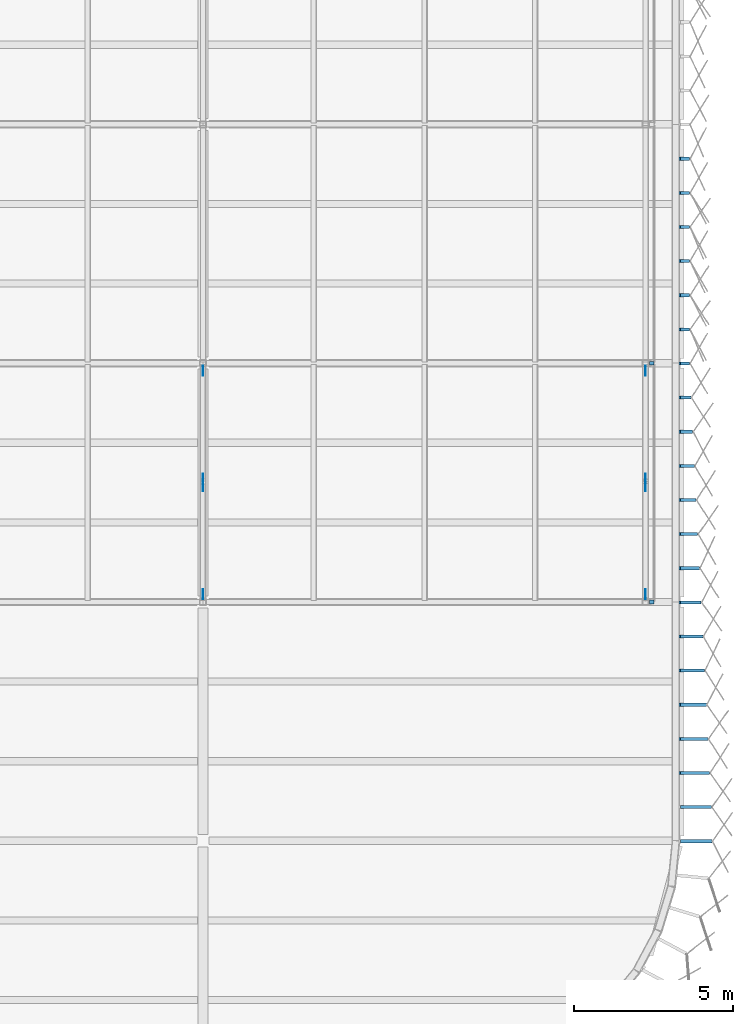
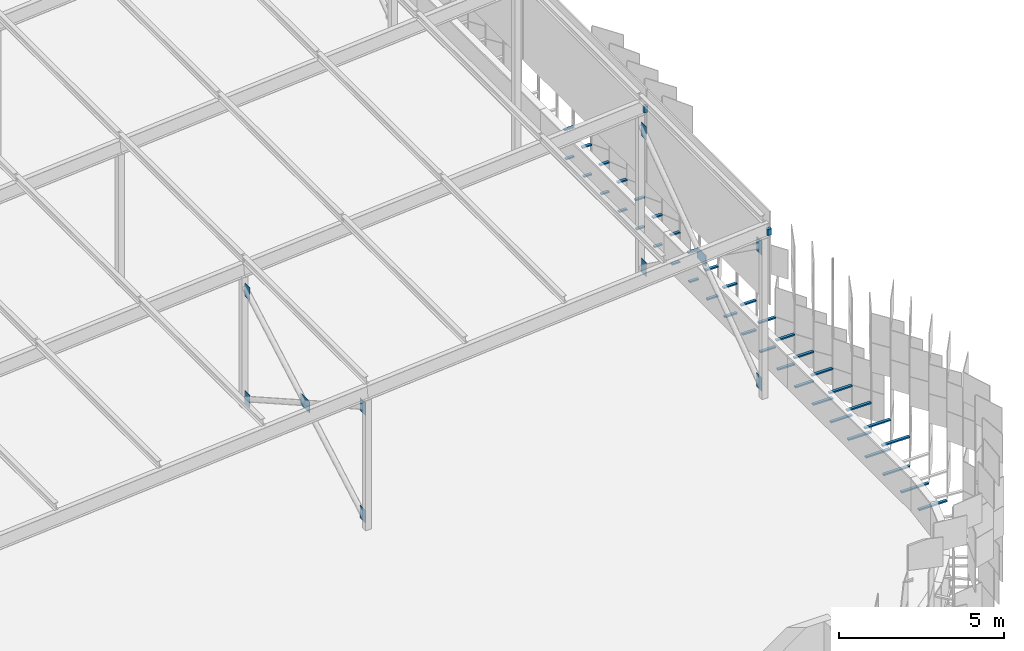
# One storey, part 443 of 483: 52 discrete accessories.
"""IFC4 building model written with IfcOpenShell, lengths in metres."""

from ifc_helpers import new_model, si_unit, direction, frame, origin, origin_2d, place, context, subcontext, project, spatial, polyline, rectangle, outline, extrude, material, layer, layer_set, type_object, element, save


model = new_model("IFC4")

# Units and contexts
model_context = context("Model", 3, precision=1e-05, world=origin(), true_north=direction((0.0, 1.0)))
body_context = subcontext(model_context, "Body", "Model", "MODEL_VIEW")
ifc_project = project(units=[si_unit("LENGTHUNIT", "METRE"), si_unit("AREAUNIT", "SQUARE_METRE"), si_unit("VOLUMEUNIT", "CUBIC_METRE"), si_unit("PLANEANGLEUNIT", "RADIAN"), si_unit("MASSUNIT", "GRAM", prefix="KILO")], contexts=[model_context])

# Site, building, storey
site_placement = place(None, origin())
site = spatial("IfcSite", under=ifc_project, at=site_placement, CompositionType="ELEMENT")
building_placement = place(site_placement, origin())
building = spatial("IfcBuilding", under=site, at=building_placement, Name="Parallax Yard Mobility Hub", CompositionType="ELEMENT")
storey_placement = place(building_placement, frame((0.0, 0.0, 13.199951171875)))
storey = spatial("IfcBuildingStorey", under=building, at=storey_placement, Name="L04", CompositionType="ELEMENT", Elevation=13.199951171875)

# Discrete accessories
ifc_material_1 = material(Name="Steel ASTM A36", Category="steel")
ifc_layer = layer(ifc_material_1, 0.011962890625)
ifc_layer_set = layer_set([ifc_layer], Name="Gusset plate PL12")
discrete_accessory_type_1 = type_object("IfcDiscreteAccessoryType", Name="Gusset plate PL12", PredefinedType="BRACKET", material=ifc_layer_set)
discrete_accessory_1_placement = place(storey_placement, frame((0.0, 0.0, 0.150146484375)))
element("IfcDiscreteAccessory", 1, at=discrete_accessory_1_placement, inside=storey, type_object=discrete_accessory_type_1, Name="Gusset plate PL12 RB bay E-A bay 1 foot on post E-A2", PredefinedType="BRACKET", context=body_context, shape_type="SweptSolid", body=[
    extrude(outline(polyline([(209.993896484375, 44.91845703125), (209.993896484375, 44.598388671875), (210.006103515625, 44.598388671875), (210.006103515625, 44.91845703125), (209.993896484375, 44.91845703125)])), origin(), (0.0, 0.0, 1.0), 0.4697265625),
])
discrete_accessory_2_placement = place(storey_placement, frame((0.0, 0.0, 4.130126953125)))
element("IfcDiscreteAccessory", 2, at=discrete_accessory_2_placement, inside=storey, type_object=discrete_accessory_type_1, Name="Gusset plate PL12 RB bay E-A bay 1 head on post E-A1", PredefinedType="BRACKET", context=body_context, shape_type="SweptSolid", body=[
    extrude(outline(polyline([(210.006103515625, 37.58154296875), (210.006103515625, 37.901611328125), (209.993896484375, 37.901611328125), (209.993896484375, 37.58154296875), (210.006103515625, 37.58154296875)])), origin(), (0.0, 0.0, 1.0), 0.469970703125),
])
discrete_accessory_3_placement = place(storey_placement, frame((0.0, 0.0, 0.150146484375)))
element("IfcDiscreteAccessory", 3, at=discrete_accessory_3_placement, inside=storey, type_object=discrete_accessory_type_1, Name="Gusset plate PL12 RB bay E-A bay 1 foot on post E-A1", PredefinedType="BRACKET", context=body_context, shape_type="SweptSolid", body=[
    extrude(outline(polyline([(210.006103515625, 37.58154296875), (210.006103515625, 37.901611328125), (209.993896484375, 37.901611328125), (209.993896484375, 37.58154296875), (210.006103515625, 37.58154296875)])), origin(), (0.0, 0.0, 1.0), 0.4697265625),
])
discrete_accessory_4_placement = place(storey_placement, frame((0.0, 0.0, 4.130126953125)))
element("IfcDiscreteAccessory", 4, at=discrete_accessory_4_placement, inside=storey, type_object=discrete_accessory_type_1, Name="Gusset plate PL12 RB bay E-A bay 1 head on post E-A2", PredefinedType="BRACKET", context=body_context, shape_type="SweptSolid", body=[
    extrude(outline(polyline([(209.993896484375, 44.91845703125), (209.993896484375, 44.598388671875), (210.006103515625, 44.598388671875), (210.006103515625, 44.91845703125), (209.993896484375, 44.91845703125)])), origin(), (0.0, 0.0, 1.0), 0.469970703125),
])
discrete_accessory_5_placement = place(storey_placement, frame((0.0, 0.0, 2.1650390625)))
element("IfcDiscreteAccessory", 5, at=discrete_accessory_5_placement, inside=storey, type_object=discrete_accessory_type_1, Name="Gusset plate PL12 RB bay E-A bay 1 crossing node", PredefinedType="BRACKET", context=body_context, shape_type="SweptSolid", body=[
    extrude(outline(polyline([(210.006103515625, 40.969970703125), (210.006103515625, 41.530029296875), (209.993896484375, 41.530029296875), (209.993896484375, 40.969970703125), (210.006103515625, 40.969970703125)])), origin(), (0.0, 0.0, 1.0), 0.419921875),
])
discrete_accessory_6_placement = place(storey_placement, frame((0.0, 0.0, 0.150146484375)))
element("IfcDiscreteAccessory", 6, at=discrete_accessory_6_placement, inside=storey, type_object=discrete_accessory_type_1, Name="Gusset plate PL12 RC bay E-A bay 1 foot on post E-A2", PredefinedType="BRACKET", context=body_context, shape_type="SweptSolid", body=[
    extrude(outline(polyline([(223.89404296875, 44.91845703125), (223.89404296875, 44.598388671875), (223.906005859375, 44.598388671875), (223.906005859375, 44.91845703125), (223.89404296875, 44.91845703125)])), origin(), (0.0, 0.0, 1.0), 0.515380859375),
])
discrete_accessory_7_placement = place(storey_placement, frame((0.0, 0.0, 5.196533203125)))
element("IfcDiscreteAccessory", 7, at=discrete_accessory_7_placement, inside=storey, type_object=discrete_accessory_type_1, Name="Gusset plate PL12 RC bay E-A bay 1 head on post E-A1", PredefinedType="BRACKET", context=body_context, shape_type="SweptSolid", body=[
    extrude(outline(polyline([(223.906005859375, 37.58154296875), (223.906005859375, 37.901611328125), (223.89404296875, 37.901611328125), (223.89404296875, 37.58154296875), (223.906005859375, 37.58154296875)])), origin(), (0.0, 0.0, 1.0), 0.515625),
])
discrete_accessory_8_placement = place(storey_placement, frame((0.0, 0.0, 0.150146484375)))
element("IfcDiscreteAccessory", 8, at=discrete_accessory_8_placement, inside=storey, type_object=discrete_accessory_type_1, Name="Gusset plate PL12 RC bay E-A bay 1 foot on post E-A1", PredefinedType="BRACKET", context=body_context, shape_type="SweptSolid", body=[
    extrude(outline(polyline([(223.906005859375, 37.58154296875), (223.906005859375, 37.901611328125), (223.89404296875, 37.901611328125), (223.89404296875, 37.58154296875), (223.906005859375, 37.58154296875)])), origin(), (0.0, 0.0, 1.0), 0.515380859375),
])
discrete_accessory_9_placement = place(storey_placement, frame((0.0, 0.0, 5.196533203125)))
element("IfcDiscreteAccessory", 9, at=discrete_accessory_9_placement, inside=storey, type_object=discrete_accessory_type_1, Name="Gusset plate PL12 RC bay E-A bay 1 head on post E-A2", PredefinedType="BRACKET", context=body_context, shape_type="SweptSolid", body=[
    extrude(outline(polyline([(223.89404296875, 44.91845703125), (223.89404296875, 44.598388671875), (223.906005859375, 44.598388671875), (223.906005859375, 44.91845703125), (223.89404296875, 44.91845703125)])), origin(), (0.0, 0.0, 1.0), 0.515625),
])
discrete_accessory_10_placement = place(storey_placement, frame((0.0, 0.0, 2.720947265625)))
element("IfcDiscreteAccessory", 10, at=discrete_accessory_10_placement, inside=storey, type_object=discrete_accessory_type_1, Name="Gusset plate PL12 RC bay E-A bay 1 crossing node", PredefinedType="BRACKET", context=body_context, shape_type="SweptSolid", body=[
    extrude(outline(polyline([(223.906005859375, 40.969970703125), (223.906005859375, 41.530029296875), (223.89404296875, 41.530029296875), (223.89404296875, 40.969970703125), (223.906005859375, 40.969970703125)])), origin(), (0.0, 0.0, 1.0), 0.420166015625),
])
ifc_material_2 = material(Name="Steel ASTM A36, hot-dip galvanised", Category="steel")
discrete_accessory_type_2 = type_object("IfcDiscreteAccessoryType", Name="Hinge bracket plate 100x50", PredefinedType="BRACKET", material=ifc_material_2)
discrete_accessory_11_placement = place(storey_placement, frame((225.49169921875, 29.985595703125, -0.02490234375), z_axis=(0.0, 0.0, 1.0), x_axis=(1.0, 0.0, 0.0)))
element("IfcDiscreteAccessory", 11, at=discrete_accessory_11_placement, inside=storey, type_object=discrete_accessory_type_2, Name="Hinge bracket plate bay 33.1 level L04", PredefinedType="BRACKET", context=body_context, shape_type="SweptSolid", body=[
    extrude(rectangle(XDim=0.984130859375, YDim=0.10009765625, at=origin_2d()), origin(), (0.0, 0.0, 1.0), 0.050048828125),
])
discrete_accessory_12_placement = place(storey_placement, frame((225.4833984375, 31.057373046875, -0.02490234375), z_axis=(0.0, 0.0, 1.0), x_axis=(1.0, 0.0, 0.0)))
element("IfcDiscreteAccessory", 12, at=discrete_accessory_12_placement, inside=storey, type_object=discrete_accessory_type_2, Name="Hinge bracket plate bay 33.2 level L04", PredefinedType="BRACKET", context=body_context, shape_type="SweptSolid", body=[
    extrude(rectangle(XDim=0.968017578125, YDim=0.10009765625, at=origin_2d()), origin(), (0.0, 0.0, 1.0), 0.050048828125),
])
discrete_accessory_13_placement = place(storey_placement, frame((225.456787109375, 32.12890625, -0.02490234375), z_axis=(0.0, 0.0, 1.0), x_axis=(1.0, 0.0, 0.0)))
element("IfcDiscreteAccessory", 13, at=discrete_accessory_13_placement, inside=storey, type_object=discrete_accessory_type_2, Name="Hinge bracket plate bay 33.3 level L04", PredefinedType="BRACKET", context=body_context, shape_type="SweptSolid", body=[
    extrude(rectangle(XDim=0.91455078125, YDim=0.10009765625, at=origin_2d()), origin(), (0.0, 0.0, 1.0), 0.050048828125),
])
discrete_accessory_14_placement = place(storey_placement, frame((225.43359375, 32.12890625, 1.06982421875), z_axis=(0.0, 0.0, 1.0), x_axis=(1.0, 0.0, 0.0)))
element("IfcDiscreteAccessory", 14, at=discrete_accessory_14_placement, inside=storey, type_object=discrete_accessory_type_2, Name="Hinge bracket plate bay 33.3 level L04", PredefinedType="BRACKET", context=body_context, shape_type="SweptSolid", body=[
    extrude(rectangle(XDim=0.96044921875, YDim=0.10009765625, at=origin_2d()), origin(), (0.0, 0.0, 1.0), 0.050048828125),
])
discrete_accessory_15_placement = place(storey_placement, frame((225.429931640625, 33.20068359375, -0.02490234375), z_axis=(0.0, 0.0, 1.0), x_axis=(1.0, 0.0, 0.0)))
element("IfcDiscreteAccessory", 15, at=discrete_accessory_15_placement, inside=storey, type_object=discrete_accessory_type_2, Name="Hinge bracket plate bay 33.4 level L04", PredefinedType="BRACKET", context=body_context, shape_type="SweptSolid", body=[
    extrude(rectangle(XDim=0.86083984375, YDim=0.10009765625, at=origin_2d()), origin(), (0.0, 0.0, 1.0), 0.050048828125),
])
discrete_accessory_16_placement = place(storey_placement, frame((225.406982421875, 33.20068359375, 1.06982421875), z_axis=(0.0, 0.0, 1.0), x_axis=(1.0, 0.0, 0.0)))
element("IfcDiscreteAccessory", 16, at=discrete_accessory_16_placement, inside=storey, type_object=discrete_accessory_type_2, Name="Hinge bracket plate bay 33.4 level L04", PredefinedType="BRACKET", context=body_context, shape_type="SweptSolid", body=[
    extrude(rectangle(XDim=0.906982421875, YDim=0.10009765625, at=origin_2d()), origin(), (0.0, 0.0, 1.0), 0.050048828125),
])
discrete_accessory_17_placement = place(storey_placement, frame((225.4033203125, 34.2724609375, -0.02490234375), z_axis=(0.0, 0.0, 1.0), x_axis=(1.0, 0.0, 0.0)))
element("IfcDiscreteAccessory", 17, at=discrete_accessory_17_placement, inside=storey, type_object=discrete_accessory_type_2, Name="Hinge bracket plate bay 33.5 level L04", PredefinedType="BRACKET", context=body_context, shape_type="SweptSolid", body=[
    extrude(rectangle(XDim=0.807373046875, YDim=0.10009765625, at=origin_2d()), origin(), (0.0, 0.0, 1.0), 0.050048828125),
])
discrete_accessory_18_placement = place(storey_placement, frame((225.380126953125, 34.2724609375, 1.06982421875), z_axis=(0.0, 0.0, 1.0), x_axis=(1.0, 0.0, 0.0)))
element("IfcDiscreteAccessory", 18, at=discrete_accessory_18_placement, inside=storey, type_object=discrete_accessory_type_2, Name="Hinge bracket plate bay 33.5 level L04", PredefinedType="BRACKET", context=body_context, shape_type="SweptSolid", body=[
    extrude(rectangle(XDim=0.853515625, YDim=0.10009765625, at=origin_2d()), origin(), (0.0, 0.0, 1.0), 0.050048828125),
])
discrete_accessory_19_placement = place(storey_placement, frame((225.37646484375, 35.34423828125, -0.02490234375), z_axis=(0.0, 0.0, 1.0), x_axis=(1.0, 0.0, 0.0)))
element("IfcDiscreteAccessory", 19, at=discrete_accessory_19_placement, inside=storey, type_object=discrete_accessory_type_2, Name="Hinge bracket plate bay 33.6 level L04", PredefinedType="BRACKET", context=body_context, shape_type="SweptSolid", body=[
    extrude(rectangle(XDim=0.75390625, YDim=0.10009765625, at=origin_2d()), origin(), (0.0, 0.0, 1.0), 0.050048828125),
])
discrete_accessory_20_placement = place(storey_placement, frame((225.353515625, 35.34423828125, 1.06982421875), z_axis=(0.0, 0.0, 1.0), x_axis=(1.0, 0.0, 0.0)))
element("IfcDiscreteAccessory", 20, at=discrete_accessory_20_placement, inside=storey, type_object=discrete_accessory_type_2, Name="Hinge bracket plate bay 33.6 level L04", PredefinedType="BRACKET", context=body_context, shape_type="SweptSolid", body=[
    extrude(rectangle(XDim=0.7998046875, YDim=0.10009765625, at=origin_2d()), origin(), (0.0, 0.0, 1.0), 0.050048828125),
])
discrete_accessory_21_placement = place(storey_placement, frame((225.349609375, 36.416015625, -0.02490234375), z_axis=(0.0, 0.0, 1.0), x_axis=(1.0, 0.0, 0.0)))
element("IfcDiscreteAccessory", 21, at=discrete_accessory_21_placement, inside=storey, type_object=discrete_accessory_type_2, Name="Hinge bracket plate bay 33.7 level L04", PredefinedType="BRACKET", context=body_context, shape_type="SweptSolid", body=[
    extrude(rectangle(XDim=0.7001953125, YDim=0.10009765625, at=origin_2d()), origin(), (0.0, 0.0, 1.0), 0.050048828125),
])
discrete_accessory_22_placement = place(storey_placement, frame((225.32666015625, 36.416015625, 1.06982421875), z_axis=(0.0, 0.0, 1.0), x_axis=(1.0, 0.0, 0.0)))
element("IfcDiscreteAccessory", 22, at=discrete_accessory_22_placement, inside=storey, type_object=discrete_accessory_type_2, Name="Hinge bracket plate bay 33.7 level L04", PredefinedType="BRACKET", context=body_context, shape_type="SweptSolid", body=[
    extrude(rectangle(XDim=0.74609375, YDim=0.10009765625, at=origin_2d()), origin(), (0.0, 0.0, 1.0), 0.050048828125),
])
discrete_accessory_23_placement = place(storey_placement, frame((225.32275390625, 37.487548828125, -0.02490234375), z_axis=(0.0, 0.0, 1.0), x_axis=(1.0, 0.0, 0.0)))
element("IfcDiscreteAccessory", 23, at=discrete_accessory_23_placement, inside=storey, type_object=discrete_accessory_type_2, Name="Hinge bracket plate bay 34.1 level L04", PredefinedType="BRACKET", context=body_context, shape_type="SweptSolid", body=[
    extrude(rectangle(XDim=0.646484375, YDim=0.10009765625, at=origin_2d()), origin(), (0.0, 0.0, 1.0), 0.050048828125),
])
discrete_accessory_24_placement = place(storey_placement, frame((225.2998046875, 37.487548828125, 1.06982421875), z_axis=(0.0, 0.0, 1.0), x_axis=(1.0, 0.0, 0.0)))
element("IfcDiscreteAccessory", 24, at=discrete_accessory_24_placement, inside=storey, type_object=discrete_accessory_type_2, Name="Hinge bracket plate bay 34.1 level L04", PredefinedType="BRACKET", context=body_context, shape_type="SweptSolid", body=[
    extrude(rectangle(XDim=0.692626953125, YDim=0.10009765625, at=origin_2d()), origin(), (0.0, 0.0, 1.0), 0.050048828125),
])
discrete_accessory_25_placement = place(storey_placement, frame((225.2958984375, 38.559326171875, -0.02490234375), z_axis=(0.0, 0.0, 1.0), x_axis=(1.0, 0.0, 0.0)))
element("IfcDiscreteAccessory", 25, at=discrete_accessory_25_placement, inside=storey, type_object=discrete_accessory_type_2, Name="Hinge bracket plate bay 34.2 level L04", PredefinedType="BRACKET", context=body_context, shape_type="SweptSolid", body=[
    extrude(rectangle(XDim=0.593017578125, YDim=0.10009765625, at=origin_2d()), origin(), (0.0, 0.0, 1.0), 0.050048828125),
])
discrete_accessory_26_placement = place(storey_placement, frame((225.27294921875, 38.559326171875, 1.06982421875), z_axis=(0.0, 0.0, 1.0), x_axis=(1.0, 0.0, 0.0)))
element("IfcDiscreteAccessory", 26, at=discrete_accessory_26_placement, inside=storey, type_object=discrete_accessory_type_2, Name="Hinge bracket plate bay 34.2 level L04", PredefinedType="BRACKET", context=body_context, shape_type="SweptSolid", body=[
    extrude(rectangle(XDim=0.63916015625, YDim=0.10009765625, at=origin_2d()), origin(), (0.0, 0.0, 1.0), 0.050048828125),
])
discrete_accessory_27_placement = place(storey_placement, frame((225.269287109375, 39.631103515625, -0.02490234375), z_axis=(0.0, 0.0, 1.0), x_axis=(1.0, 0.0, 0.0)))
element("IfcDiscreteAccessory", 27, at=discrete_accessory_27_placement, inside=storey, type_object=discrete_accessory_type_2, Name="Hinge bracket plate bay 34.3 level L04", PredefinedType="BRACKET", context=body_context, shape_type="SweptSolid", body=[
    extrude(rectangle(XDim=0.53955078125, YDim=0.10009765625, at=origin_2d()), origin(), (0.0, 0.0, 1.0), 0.050048828125),
])
discrete_accessory_28_placement = place(storey_placement, frame((225.24609375, 39.631103515625, 1.06982421875), z_axis=(0.0, 0.0, 1.0), x_axis=(1.0, 0.0, 0.0)))
element("IfcDiscreteAccessory", 28, at=discrete_accessory_28_placement, inside=storey, type_object=discrete_accessory_type_2, Name="Hinge bracket plate bay 34.3 level L04", PredefinedType="BRACKET", context=body_context, shape_type="SweptSolid", body=[
    extrude(rectangle(XDim=0.58544921875, YDim=0.10009765625, at=origin_2d()), origin(), (0.0, 0.0, 1.0), 0.050048828125),
])
discrete_accessory_29_placement = place(storey_placement, frame((225.242431640625, 40.702880859375, -0.02490234375), z_axis=(0.0, 0.0, 1.0), x_axis=(1.0, 0.0, 0.0)))
element("IfcDiscreteAccessory", 29, at=discrete_accessory_29_placement, inside=storey, type_object=discrete_accessory_type_2, Name="Hinge bracket plate bay 34.4 level L04", PredefinedType="BRACKET", context=body_context, shape_type="SweptSolid", body=[
    extrude(rectangle(XDim=0.48583984375, YDim=0.10009765625, at=origin_2d()), origin(), (0.0, 0.0, 1.0), 0.050048828125),
])
discrete_accessory_30_placement = place(storey_placement, frame((225.219482421875, 40.702880859375, 1.06982421875), z_axis=(0.0, 0.0, 1.0), x_axis=(1.0, 0.0, 0.0)))
element("IfcDiscreteAccessory", 30, at=discrete_accessory_30_placement, inside=storey, type_object=discrete_accessory_type_2, Name="Hinge bracket plate bay 34.4 level L04", PredefinedType="BRACKET", context=body_context, shape_type="SweptSolid", body=[
    extrude(rectangle(XDim=0.531982421875, YDim=0.10009765625, at=origin_2d()), origin(), (0.0, 0.0, 1.0), 0.050048828125),
])
discrete_accessory_31_placement = place(storey_placement, frame((225.2158203125, 41.774658203125, -0.02490234375), z_axis=(0.0, 0.0, 1.0), x_axis=(1.0, 0.0, 0.0)))
element("IfcDiscreteAccessory", 31, at=discrete_accessory_31_placement, inside=storey, type_object=discrete_accessory_type_2, Name="Hinge bracket plate bay 34.5 level L04", PredefinedType="BRACKET", context=body_context, shape_type="SweptSolid", body=[
    extrude(rectangle(XDim=0.432373046875, YDim=0.10009765625, at=origin_2d()), origin(), (0.0, 0.0, 1.0), 0.050048828125),
])
discrete_accessory_32_placement = place(storey_placement, frame((225.192626953125, 41.774658203125, 1.06982421875), z_axis=(0.0, 0.0, 1.0), x_axis=(1.0, 0.0, 0.0)))
element("IfcDiscreteAccessory", 32, at=discrete_accessory_32_placement, inside=storey, type_object=discrete_accessory_type_2, Name="Hinge bracket plate bay 34.5 level L04", PredefinedType="BRACKET", context=body_context, shape_type="SweptSolid", body=[
    extrude(rectangle(XDim=0.478515625, YDim=0.10009765625, at=origin_2d()), origin(), (0.0, 0.0, 1.0), 0.050048828125),
])
discrete_accessory_33_placement = place(storey_placement, frame((225.18896484375, 42.84619140625, -0.02490234375), z_axis=(0.0, 0.0, 1.0), x_axis=(1.0, 0.0, 0.0)))
element("IfcDiscreteAccessory", 33, at=discrete_accessory_33_placement, inside=storey, type_object=discrete_accessory_type_2, Name="Hinge bracket plate bay 34.6 level L04", PredefinedType="BRACKET", context=body_context, shape_type="SweptSolid", body=[
    extrude(rectangle(XDim=0.37890625, YDim=0.10009765625, at=origin_2d()), origin(), (0.0, 0.0, 1.0), 0.050048828125),
])
discrete_accessory_34_placement = place(storey_placement, frame((225.166015625, 42.84619140625, 1.06982421875), z_axis=(0.0, 0.0, 1.0), x_axis=(1.0, 0.0, 0.0)))
element("IfcDiscreteAccessory", 34, at=discrete_accessory_34_placement, inside=storey, type_object=discrete_accessory_type_2, Name="Hinge bracket plate bay 34.6 level L04", PredefinedType="BRACKET", context=body_context, shape_type="SweptSolid", body=[
    extrude(rectangle(XDim=0.4248046875, YDim=0.10009765625, at=origin_2d()), origin(), (0.0, 0.0, 1.0), 0.050048828125),
])
discrete_accessory_35_placement = place(storey_placement, frame((225.162109375, 43.91796875, -0.02490234375), z_axis=(0.0, 0.0, 1.0), x_axis=(1.0, 0.0, 0.0)))
element("IfcDiscreteAccessory", 35, at=discrete_accessory_35_placement, inside=storey, type_object=discrete_accessory_type_2, Name="Hinge bracket plate bay 34.7 level L04", PredefinedType="BRACKET", context=body_context, shape_type="SweptSolid", body=[
    extrude(rectangle(XDim=0.3251953125, YDim=0.10009765625, at=origin_2d()), origin(), (0.0, 0.0, 1.0), 0.050048828125),
])
discrete_accessory_36_placement = place(storey_placement, frame((225.13916015625, 43.91796875, 1.06982421875), z_axis=(0.0, 0.0, 1.0), x_axis=(1.0, 0.0, 0.0)))
element("IfcDiscreteAccessory", 36, at=discrete_accessory_36_placement, inside=storey, type_object=discrete_accessory_type_2, Name="Hinge bracket plate bay 34.7 level L04", PredefinedType="BRACKET", context=body_context, shape_type="SweptSolid", body=[
    extrude(rectangle(XDim=0.37109375, YDim=0.10009765625, at=origin_2d()), origin(), (0.0, 0.0, 1.0), 0.050048828125),
])
discrete_accessory_37_placement = place(storey_placement, frame((225.1416015625, 44.98974609375, -0.02490234375), z_axis=(0.0, 0.0, 1.0), x_axis=(1.0, 0.0, 0.0)))
element("IfcDiscreteAccessory", 37, at=discrete_accessory_37_placement, inside=storey, type_object=discrete_accessory_type_2, Name="Hinge bracket plate bay 35.1 level L04", PredefinedType="BRACKET", context=body_context, shape_type="SweptSolid", body=[
    extrude(rectangle(XDim=0.2841796875, YDim=0.10009765625, at=origin_2d()), origin(), (0.0, 0.0, 1.0), 0.050048828125),
])
discrete_accessory_38_placement = place(storey_placement, frame((225.11865234375, 44.98974609375, 1.06982421875), z_axis=(0.0, 0.0, 1.0), x_axis=(1.0, 0.0, 0.0)))
element("IfcDiscreteAccessory", 38, at=discrete_accessory_38_placement, inside=storey, type_object=discrete_accessory_type_2, Name="Hinge bracket plate bay 35.1 level L04", PredefinedType="BRACKET", context=body_context, shape_type="SweptSolid", body=[
    extrude(rectangle(XDim=0.330078125, YDim=0.10009765625, at=origin_2d()), origin(), (0.0, 0.0, 1.0), 0.050048828125),
])
discrete_accessory_39_placement = place(storey_placement, frame((225.1416015625, 46.0615234375, -0.02490234375), z_axis=(0.0, 0.0, 1.0), x_axis=(1.0, 0.0, 0.0)))
element("IfcDiscreteAccessory", 39, at=discrete_accessory_39_placement, inside=storey, type_object=discrete_accessory_type_2, Name="Hinge bracket plate bay 35.2 level L04", PredefinedType="BRACKET", context=body_context, shape_type="SweptSolid", body=[
    extrude(rectangle(XDim=0.2841796875, YDim=0.10009765625, at=origin_2d()), origin(), (0.0, 0.0, 1.0), 0.050048828125),
])
discrete_accessory_40_placement = place(storey_placement, frame((225.11865234375, 46.0615234375, 1.06982421875), z_axis=(0.0, 0.0, 1.0), x_axis=(1.0, 0.0, 0.0)))
element("IfcDiscreteAccessory", 40, at=discrete_accessory_40_placement, inside=storey, type_object=discrete_accessory_type_2, Name="Hinge bracket plate bay 35.2 level L04", PredefinedType="BRACKET", context=body_context, shape_type="SweptSolid", body=[
    extrude(rectangle(XDim=0.330078125, YDim=0.10009765625, at=origin_2d()), origin(), (0.0, 0.0, 1.0), 0.050048828125),
])
discrete_accessory_41_placement = place(storey_placement, frame((225.1416015625, 47.13330078125, -0.02490234375), z_axis=(0.0, 0.0, 1.0), x_axis=(1.0, 0.0, 0.0)))
element("IfcDiscreteAccessory", 41, at=discrete_accessory_41_placement, inside=storey, type_object=discrete_accessory_type_2, Name="Hinge bracket plate bay 35.3 level L04", PredefinedType="BRACKET", context=body_context, shape_type="SweptSolid", body=[
    extrude(rectangle(XDim=0.2841796875, YDim=0.10009765625, at=origin_2d()), origin(), (0.0, 0.0, 1.0), 0.050048828125),
])
discrete_accessory_42_placement = place(storey_placement, frame((225.11865234375, 47.13330078125, 1.06982421875), z_axis=(0.0, 0.0, 1.0), x_axis=(1.0, 0.0, 0.0)))
element("IfcDiscreteAccessory", 42, at=discrete_accessory_42_placement, inside=storey, type_object=discrete_accessory_type_2, Name="Hinge bracket plate bay 35.3 level L04", PredefinedType="BRACKET", context=body_context, shape_type="SweptSolid", body=[
    extrude(rectangle(XDim=0.330078125, YDim=0.10009765625, at=origin_2d()), origin(), (0.0, 0.0, 1.0), 0.050048828125),
])
discrete_accessory_43_placement = place(storey_placement, frame((225.1416015625, 48.204833984375, -0.02490234375), z_axis=(0.0, 0.0, 1.0), x_axis=(1.0, 0.0, 0.0)))
element("IfcDiscreteAccessory", 43, at=discrete_accessory_43_placement, inside=storey, type_object=discrete_accessory_type_2, Name="Hinge bracket plate bay 35.4 level L04", PredefinedType="BRACKET", context=body_context, shape_type="SweptSolid", body=[
    extrude(rectangle(XDim=0.2841796875, YDim=0.10009765625, at=origin_2d()), origin(), (0.0, 0.0, 1.0), 0.050048828125),
])
discrete_accessory_44_placement = place(storey_placement, frame((225.11865234375, 48.204833984375, 1.06982421875), z_axis=(0.0, 0.0, 1.0), x_axis=(1.0, 0.0, 0.0)))
element("IfcDiscreteAccessory", 44, at=discrete_accessory_44_placement, inside=storey, type_object=discrete_accessory_type_2, Name="Hinge bracket plate bay 35.4 level L04", PredefinedType="BRACKET", context=body_context, shape_type="SweptSolid", body=[
    extrude(rectangle(XDim=0.330078125, YDim=0.10009765625, at=origin_2d()), origin(), (0.0, 0.0, 1.0), 0.050048828125),
])
discrete_accessory_45_placement = place(storey_placement, frame((225.1416015625, 49.276611328125, -0.02490234375), z_axis=(0.0, 0.0, 1.0), x_axis=(1.0, 0.0, 0.0)))
element("IfcDiscreteAccessory", 45, at=discrete_accessory_45_placement, inside=storey, type_object=discrete_accessory_type_2, Name="Hinge bracket plate bay 35.5 level L04", PredefinedType="BRACKET", context=body_context, shape_type="SweptSolid", body=[
    extrude(rectangle(XDim=0.2841796875, YDim=0.10009765625, at=origin_2d()), origin(), (0.0, 0.0, 1.0), 0.050048828125),
])
discrete_accessory_46_placement = place(storey_placement, frame((225.11865234375, 49.276611328125, 1.06982421875), z_axis=(0.0, 0.0, 1.0), x_axis=(1.0, 0.0, 0.0)))
element("IfcDiscreteAccessory", 46, at=discrete_accessory_46_placement, inside=storey, type_object=discrete_accessory_type_2, Name="Hinge bracket plate bay 35.5 level L04", PredefinedType="BRACKET", context=body_context, shape_type="SweptSolid", body=[
    extrude(rectangle(XDim=0.330078125, YDim=0.10009765625, at=origin_2d()), origin(), (0.0, 0.0, 1.0), 0.050048828125),
])
discrete_accessory_47_placement = place(storey_placement, frame((225.1416015625, 50.348388671875, -0.02490234375), z_axis=(0.0, 0.0, 1.0), x_axis=(1.0, 0.0, 0.0)))
element("IfcDiscreteAccessory", 47, at=discrete_accessory_47_placement, inside=storey, type_object=discrete_accessory_type_2, Name="Hinge bracket plate bay 35.6 level L04", PredefinedType="BRACKET", context=body_context, shape_type="SweptSolid", body=[
    extrude(rectangle(XDim=0.2841796875, YDim=0.10009765625, at=origin_2d()), origin(), (0.0, 0.0, 1.0), 0.050048828125),
])
discrete_accessory_48_placement = place(storey_placement, frame((225.11865234375, 50.348388671875, 1.06982421875), z_axis=(0.0, 0.0, 1.0), x_axis=(1.0, 0.0, 0.0)))
element("IfcDiscreteAccessory", 48, at=discrete_accessory_48_placement, inside=storey, type_object=discrete_accessory_type_2, Name="Hinge bracket plate bay 35.6 level L04", PredefinedType="BRACKET", context=body_context, shape_type="SweptSolid", body=[
    extrude(rectangle(XDim=0.330078125, YDim=0.10009765625, at=origin_2d()), origin(), (0.0, 0.0, 1.0), 0.050048828125),
])
discrete_accessory_49_placement = place(storey_placement, frame((225.1416015625, 51.420166015625, -0.02490234375), z_axis=(0.0, 0.0, 1.0), x_axis=(1.0, 0.0, 0.0)))
element("IfcDiscreteAccessory", 49, at=discrete_accessory_49_placement, inside=storey, type_object=discrete_accessory_type_2, Name="Hinge bracket plate bay 35.7 level L04", PredefinedType="BRACKET", context=body_context, shape_type="SweptSolid", body=[
    extrude(rectangle(XDim=0.2841796875, YDim=0.10009765625, at=origin_2d()), origin(), (0.0, 0.0, 1.0), 0.050048828125),
])
discrete_accessory_50_placement = place(storey_placement, frame((225.11865234375, 51.420166015625, 1.06982421875), z_axis=(0.0, 0.0, 1.0), x_axis=(1.0, 0.0, 0.0)))
element("IfcDiscreteAccessory", 50, at=discrete_accessory_50_placement, inside=storey, type_object=discrete_accessory_type_2, Name="Hinge bracket plate bay 35.7 level L04", PredefinedType="BRACKET", context=body_context, shape_type="SweptSolid", body=[
    extrude(rectangle(XDim=0.330078125, YDim=0.10009765625, at=origin_2d()), origin(), (0.0, 0.0, 1.0), 0.050048828125),
])
discrete_accessory_type_3 = type_object("IfcDiscreteAccessoryType", Name="Valance bracket plate", PredefinedType="BRACKET", material=ifc_material_2)
for number, where, z_axis, x_axis, name in (
    (51, (224.090087890625, 37.5, 5.961181640625), (0.0, 0.0, 1.0), (1.0, 0.0, 0.0), "Valance bracket plate E-A1"),
    (52, (224.090087890625, 45.0, 5.961181640625), (0.0, 0.0, 1.0), (1.0, 0.0, 0.0), "Valance bracket plate E-A2"),
):
    element("IfcDiscreteAccessory", number, at=place(storey_placement, frame(where, z_axis=z_axis, x_axis=x_axis)), inside=storey, type_object=discrete_accessory_type_3, Name=name, PredefinedType="BRACKET", context=body_context, shape_type="SweptSolid", body=[
        extrude(rectangle(XDim=0.139892578125, YDim=0.1201171875, at=origin_2d()), origin(), (0.0, 0.0, 1.0), 0.22998046875),
    ])

save(model, "model.ifc")
